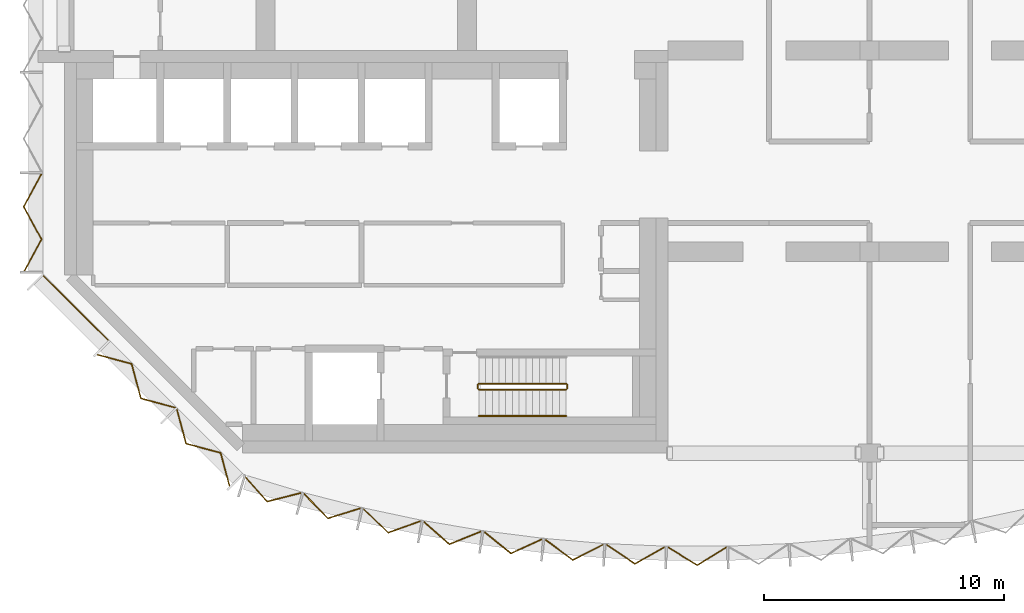
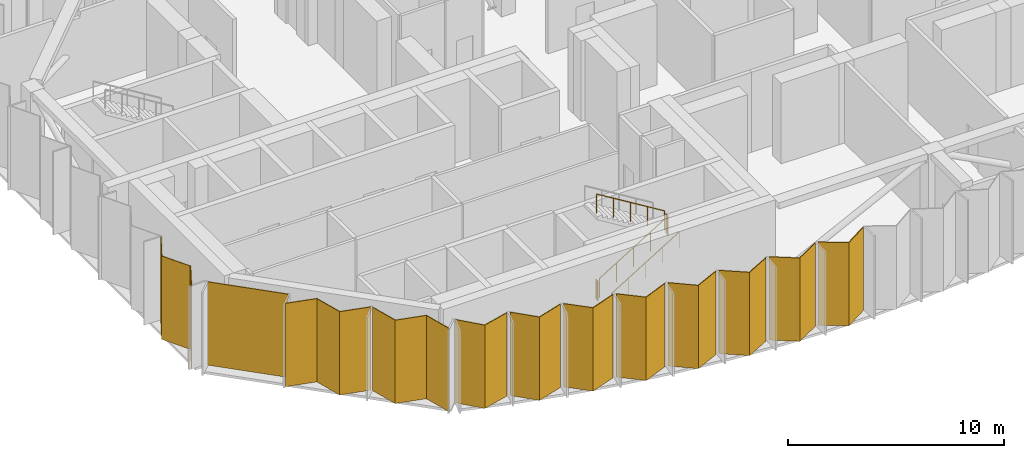
# One storey, part 8 of 13: 12 coverings, 5 railings, 3 elements without a shape of their own.
"""IFC4 building model written with IfcOpenShell, lengths in metres."""

from ifc_helpers import new_model, si_unit, direction, frame, origin, origin_2d, place, context, subcontext, project, spatial, polyline, circle, outline, extrude, material, layer, layer_set, type_object, element, aggregate, save


model = new_model("IFC4")

# Units and contexts
model_context = context("Model", 3, precision=1e-05, world=origin(), true_north=direction((0.0, 1.0)))
body_context = subcontext(model_context, "Body", "Model", "MODEL_VIEW")
ifc_project = project(units=[si_unit("LENGTHUNIT", "METRE"), si_unit("AREAUNIT", "SQUARE_METRE"), si_unit("VOLUMEUNIT", "CUBIC_METRE"), si_unit("PLANEANGLEUNIT", "RADIAN"), si_unit("MASSUNIT", "GRAM", prefix="KILO")], contexts=[model_context])

# Site, building, storey
site_placement = place(None, origin())
site = spatial("IfcSite", under=ifc_project, at=site_placement, CompositionType="ELEMENT")
building_placement = place(site_placement, origin())
building = spatial("IfcBuilding", under=site, at=building_placement, Name="Brevane Broadcast Tower", CompositionType="ELEMENT")
storey_placement = place(building_placement, frame((0.0, 0.0, 210.89990234375)))
storey = spatial("IfcBuildingStorey", under=building, at=storey_placement, Name="L53", CompositionType="ELEMENT", Elevation=210.89990234375)

# Curtain wall, coverings
ifc_material_1 = material(Name="Aluminium 6063-T6 bronze anodised", Category="aluminium")
curtain_wall_type = type_object("IfcCurtainWallType", Name="CW-3 curtain wall", PredefinedType="NOTDEFINED", material=ifc_material_1)
curtain_wall_1_placement = place(storey_placement, origin())
curtain_wall_1 = element("IfcCurtainWall", 1, at=curtain_wall_1_placement, inside=storey, type_object=curtain_wall_type, Name="CW-3 refuge louvre unit L53 south bow", PredefinedType="NOTDEFINED")
ifc_material_2 = material(Name="Aluminium bronze anodised cladding", Category="aluminium")
ifc_layer = layer(ifc_material_2, 0.050048828125)
ifc_layer_set = layer_set([ifc_layer], Name="CW refuge spandrel 50")
covering_type = type_object("IfcCoveringType", Name="CW refuge spandrel 50", PredefinedType="CLADDING", material=ifc_layer_set)
covering_1_placement = place(storey_placement, frame((0.0, 0.0, -0.159912109375)))
covering_1 = element("IfcCovering", 2, at=covering_1_placement, type_object=covering_type, Name="Refuge cladding panel", PredefinedType="CLADDING", context=body_context, shape_type="SweptSolid", body=[
    extrude(outline(polyline([(7.530517578125, -0.937255859375), (7.51708984375, -0.982177734375), (8.46337890625, -2.044921875), (9.85791015625, -1.68701171875), (9.8701171875, -1.642578125), (8.47705078125, -2.000244140625), (7.530517578125, -0.937255859375)])), origin(), (0.0, 0.0, 1.0), 4.7099609375),
])
covering_2_placement = place(storey_placement, frame((0.0, 0.0, -0.159912109375)))
covering_2 = element("IfcCovering", 3, at=covering_2_placement, type_object=covering_type, Name="Refuge cladding panel", PredefinedType="CLADDING", context=body_context, shape_type="SweptSolid", body=[
    extrude(outline(polyline([(10.021728515625, -1.685302734375), (10.00927734375, -1.72998046875), (10.984130859375, -2.749755859375), (12.341064453125, -2.328369140625), (12.351806640625, -2.283203125), (10.99609375, -2.7041015625), (10.021728515625, -1.685302734375)])), origin(), (0.0, 0.0, 1.0), 4.7099609375),
])
covering_3_placement = place(storey_placement, frame((0.0, 0.0, -0.159912109375)))
covering_3 = element("IfcCovering", 4, at=covering_3_placement, type_object=covering_type, Name="Refuge cladding panel", PredefinedType="CLADDING", context=body_context, shape_type="SweptSolid", body=[
    extrude(outline(polyline([(12.5048828125, -2.319580078125), (12.494384765625, -2.36474609375), (13.513427734375, -3.343505859375), (14.84912109375, -2.865478515625), (14.857666015625, -2.81982421875), (13.523193359375, -3.29736328125), (12.5048828125, -2.319580078125)])), origin(), (0.0, 0.0, 1.0), 4.7099609375),
])
covering_4_placement = place(storey_placement, frame((0.0, 0.0, -0.159912109375)))
covering_4 = element("IfcCovering", 5, at=covering_4_placement, type_object=covering_type, Name="Refuge cladding panel", PredefinedType="CLADDING", context=body_context, shape_type="SweptSolid", body=[
    extrude(outline(polyline([(15.012451171875, -2.849609375), (15.003662109375, -2.89501953125), (16.065185546875, -3.830810546875), (17.377197265625, -3.29736328125), (17.3837890625, -3.251220703125), (16.072998046875, -3.78466796875), (15.012451171875, -2.849609375)])), origin(), (0.0, 0.0, 1.0), 4.7099609375),
])
covering_5_placement = place(storey_placement, frame((0.0, 0.0, -0.159912109375)))
covering_5 = element("IfcCovering", 6, at=covering_5_placement, type_object=covering_type, Name="Refuge cladding panel", PredefinedType="CLADDING", context=body_context, shape_type="SweptSolid", body=[
    extrude(outline(polyline([(17.539794921875, -3.2744140625), (17.532958984375, -3.3203125), (18.635009765625, -4.21142578125), (19.9208984375, -3.623291015625), (19.92578125, -3.576904296875), (18.64111328125, -4.164794921875), (17.539794921875, -3.2744140625)])), origin(), (0.0, 0.0, 1.0), 4.7099609375),
])
covering_6_placement = place(storey_placement, frame((0.0, 0.0, -0.159912109375)))
covering_6 = element("IfcCovering", 7, at=covering_6_placement, type_object=covering_type, Name="Refuge cladding panel", PredefinedType="CLADDING", context=body_context, shape_type="SweptSolid", body=[
    extrude(outline(polyline([(20.08251953125, -3.59326171875), (20.07763671875, -3.639404296875), (21.21875, -4.484130859375), (22.476318359375, -3.842529296875), (22.479248046875, -3.796142578125), (21.22265625, -4.437255859375), (20.08251953125, -3.59326171875)])), origin(), (0.0, 0.0, 1.0), 4.7099609375),
])
covering_7_placement = place(storey_placement, frame((0.0, 0.0, -0.159912109375)))
covering_7 = element("IfcCovering", 8, at=covering_7_placement, type_object=covering_type, Name="Refuge cladding panel", PredefinedType="CLADDING", context=body_context, shape_type="SweptSolid", body=[
    extrude(outline(polyline([(22.63671875, -3.805908203125), (22.633544921875, -3.85205078125), (23.8115234375, -4.6484375), (25.038818359375, -3.955078125), (25.039794921875, -3.90869140625), (23.8134765625, -4.6015625), (22.63671875, -3.805908203125)])), origin(), (0.0, 0.0, 1.0), 4.7099609375),
])
covering_8_placement = place(storey_placement, frame((0.0, 0.0, -0.159912109375)))
covering_8 = element("IfcCovering", 9, at=covering_8_placement, type_object=covering_type, Name="Refuge cladding panel", PredefinedType="CLADDING", context=body_context, shape_type="SweptSolid", body=[
    extrude(outline(polyline([(25.197265625, -3.91162109375), (25.1962890625, -3.957763671875), (26.413818359375, -4.703369140625), (27.613037109375, -3.95849609375), (27.612060546875, -3.912109375), (26.41357421875, -4.656494140625), (25.197265625, -3.91162109375)])), origin(), (0.0, 0.0, 1.0), 4.7099609375),
])
aggregate(curtain_wall_1, [covering_1, covering_2, covering_3, covering_4, covering_5, covering_6, covering_7, covering_8])

# Curtain wall, covering
curtain_wall_2_placement = place(storey_placement, origin())
curtain_wall_2 = element("IfcCurtainWall", 10, at=curtain_wall_2_placement, inside=storey, type_object=curtain_wall_type, Name="CW-3 refuge louvre unit L53 west face", PredefinedType="NOTDEFINED")
covering_9_placement = place(storey_placement, frame((0.0, 0.0, -0.159912109375)))
covering_9 = element("IfcCovering", 11, at=covering_9_placement, type_object=covering_type, Name="Refuge cladding panel", PredefinedType="CLADDING", context=body_context, shape_type="SweptSolid", body=[
    extrude(outline(polyline([(-0.92724609375, 11.659912109375), (-0.97265625, 11.659912109375), (-1.717041015625, 10.28662109375), (-0.97265625, 8.913330078125), (-1.717041015625, 7.5400390625), (-1.671630859375, 7.5400390625), (-0.92724609375, 8.913330078125), (-1.671630859375, 10.28662109375), (-0.92724609375, 11.659912109375)])), origin(), (0.0, 0.0, 1.0), 4.7099609375),
])
aggregate(curtain_wall_2, [covering_9])

# Curtain wall, coverings
curtain_wall_3_placement = place(storey_placement, origin())
curtain_wall_3 = element("IfcCurtainWall", 12, at=curtain_wall_3_placement, inside=storey, type_object=curtain_wall_type, Name="CW-3 refuge louvre unit L53 south-west chamfer", PredefinedType="NOTDEFINED")
covering_10_placement = place(storey_placement, frame((0.0, 0.0, -0.159912109375)))
covering_10 = element("IfcCovering", 13, at=covering_10_placement, type_object=covering_type, Name="Refuge cladding panel", PredefinedType="CLADDING", context=body_context, shape_type="SweptSolid", body=[
    extrude(outline(polyline([(-0.892822265625, 7.450439453125), (1.8505859375, 4.70703125), (1.822265625, 4.6787109375), (-0.921142578125, 7.422119140625), (-0.892822265625, 7.450439453125)])), origin(), (0.0, 0.0, 1.0), 4.7099609375),
])
covering_11_placement = place(storey_placement, frame((0.0, 0.0, -0.159912109375)))
covering_11 = element("IfcCovering", 14, at=covering_11_placement, type_object=covering_type, Name="Refuge cladding panel", PredefinedType="CLADDING", context=body_context, shape_type="SweptSolid", body=[
    extrude(outline(polyline([(1.3828125, 4.126220703125), (1.35009765625, 4.09375), (2.791015625, 3.70556640625), (3.17919921875, 2.2646484375), (4.6201171875, 1.876708984375), (4.652587890625, 1.9091796875), (3.2119140625, 2.29736328125), (2.82373046875, 3.73828125), (1.3828125, 4.126220703125)])), origin(), (0.0, 0.0, 1.0), 4.7099609375),
])
covering_12_placement = place(storey_placement, frame((0.0, 0.0, -0.159912109375)))
covering_12 = element("IfcCovering", 15, at=covering_12_placement, type_object=covering_type, Name="Refuge cladding panel", PredefinedType="CLADDING", context=body_context, shape_type="SweptSolid", body=[
    extrude(outline(polyline([(4.709228515625, 1.852783203125), (4.676513671875, 1.820068359375), (5.064697265625, 0.379150390625), (6.505615234375, -0.0087890625), (6.893798828125, -1.44970703125), (6.92626953125, -1.4169921875), (6.5380859375, 0.023681640625), (5.097412109375, 0.411865234375), (4.709228515625, 1.852783203125)])), origin(), (0.0, 0.0, 1.0), 4.7099609375),
])
aggregate(curtain_wall_3, [covering_10, covering_11, covering_12])

# Railings
ifc_material_3 = material(Name="Steel S355", Category="steel")
railing_type_1 = type_object("IfcRailingType", Name="Exit stair guard", PredefinedType="GUARDRAIL", material=ifc_material_3)
railing_1_placement = place(storey_placement, frame((17.300048828125, 2.64990234375, 0.171630859375)))
element("IfcRailing", 16, at=railing_1_placement, inside=storey, type_object=railing_type_1, Name="L53 ST-2 stair guard 1", PredefinedType="GUARDRAIL", context=body_context, shape_type="SweptSolid", body=[
    extrude(circle(Radius=0.02392578125, at=origin_2d()), frame((0.0, 0.0, 1.076171875), z_axis=(0.852850264322, 0.0, 0.5221555579), x_axis=(0.0, 1.0, 0.0)), (0.0, 0.0, 1.0), 4.267822265625),
    extrude(circle(Radius=0.02099609375, at=origin_2d()), origin(), (0.0, 0.0, 1.0), 1.052001953125),
    extrude(circle(Radius=0.02099609375, at=origin_2d()), frame((0.909912109375, 0.0, 0.55712890625)), (0.0, 0.0, 1.0), 1.052001953125),
    extrude(circle(Radius=0.02099609375, at=origin_2d()), frame((1.81982421875, 0.0, 1.1142578125)), (0.0, 0.0, 1.0), 1.052001953125),
    extrude(circle(Radius=0.02099609375, at=origin_2d()), frame((2.72998046875, 0.0, 1.67138671875)), (0.0, 0.0, 1.0), 1.052001953125),
    extrude(circle(Radius=0.02099609375, at=origin_2d()), frame((3.639892578125, 0.0, 2.228515625)), (0.0, 0.0, 1.0), 1.052001953125),
])
railing_2_placement = place(storey_placement, frame((20.989990234375, 2.699951171875, 2.400146484375)))
element("IfcRailing", 17, at=railing_2_placement, inside=storey, type_object=railing_type_1, Name="L53 ST-2 stair guard 2", PredefinedType="GUARDRAIL", context=body_context, shape_type="SweptSolid", body=[
    extrude(circle(Radius=0.02392578125, at=origin_2d()), frame((0.0, 0.0, 1.076171875), z_axis=(0.0, 1.0, 0.0), x_axis=(-1.0, 0.0, 0.0)), (0.0, 0.0, 1.0), 0.150146484375),
    extrude(circle(Radius=0.02099609375, at=origin_2d()), origin(), (0.0, 0.0, 1.0), 1.052001953125),
    extrude(circle(Radius=0.02099609375, at=origin_2d()), frame((0.0, 0.150146484375, 0.0)), (0.0, 0.0, 1.0), 1.052001953125),
])
railing_3_placement = place(storey_placement, frame((20.93994140625, 2.89990234375, 2.571533203125)))
element("IfcRailing", 18, at=railing_3_placement, inside=storey, type_object=railing_type_1, Name="L53 ST-2 stair guard 3", PredefinedType="GUARDRAIL", context=body_context, shape_type="SweptSolid", body=[
    extrude(circle(Radius=0.02392578125, at=origin_2d()), frame((0.0, 0.0, 1.076171875), z_axis=(-0.852850264322, 0.0, 0.5221555579), x_axis=(0.0, -1.0, 0.0)), (0.0, 0.0, 1.0), 4.267822265625),
    extrude(circle(Radius=0.02099609375, at=origin_2d()), origin(), (0.0, 0.0, 1.0), 1.052001953125),
    extrude(circle(Radius=0.02099609375, at=origin_2d()), frame((-0.909912109375, 0.0, 0.55712890625)), (0.0, 0.0, 1.0), 1.052001953125),
    extrude(circle(Radius=0.02099609375, at=origin_2d()), frame((-1.81982421875, 0.0, 1.1142578125)), (0.0, 0.0, 1.0), 1.052001953125),
    extrude(circle(Radius=0.02099609375, at=origin_2d()), frame((-2.72998046875, 0.0, 1.67138671875)), (0.0, 0.0, 1.0), 1.052001953125),
    extrude(circle(Radius=0.02099609375, at=origin_2d()), frame((-3.639892578125, 0.0, 2.228515625)), (0.0, 0.0, 1.0), 1.052001953125),
])
railing_4_placement = place(storey_placement, frame((17.25, 2.699951171875, 0.0)))
element("IfcRailing", 19, at=railing_4_placement, inside=storey, type_object=railing_type_1, Name="L53 ST-2 stair guard 4", PredefinedType="GUARDRAIL", context=body_context, shape_type="SweptSolid", body=[
    extrude(circle(Radius=0.02392578125, at=origin_2d()), frame((0.0, 0.0, 1.076171875), z_axis=(0.0, 1.0, 0.0), x_axis=(-1.0, 0.0, 0.0)), (0.0, 0.0, 1.0), 0.150146484375),
    extrude(circle(Radius=0.02099609375, at=origin_2d()), origin(), (0.0, 0.0, 1.0), 1.052001953125),
    extrude(circle(Radius=0.02099609375, at=origin_2d()), frame((0.0, 0.150146484375, 0.0)), (0.0, 0.0, 1.0), 1.052001953125),
])
railing_type_2 = type_object("IfcRailingType", Name="Exit stair handrail", PredefinedType="HANDRAIL", material=ifc_material_3)
railing_5_placement = place(storey_placement, frame((17.300048828125, 1.550048828125, 0.171630859375)))
element("IfcRailing", 20, at=railing_5_placement, inside=storey, type_object=railing_type_2, Name="L53 ST-2 stair handrail 1", PredefinedType="HANDRAIL", context=body_context, shape_type="SweptSolid", body=[
    extrude(circle(Radius=0.02392578125, at=origin_2d()), frame((0.0, 0.0, 0.8759765625), z_axis=(0.852850264322, 0.0, 0.5221555579), x_axis=(0.0, 1.0, 0.0)), (0.0, 0.0, 1.0), 4.267822265625),
    extrude(circle(Radius=0.02099609375, at=origin_2d()), origin(), (0.0, 0.0, 1.0), 0.851806640625),
    extrude(circle(Radius=0.02099609375, at=origin_2d()), frame((0.909912109375, 0.0, 0.55712890625)), (0.0, 0.0, 1.0), 0.851806640625),
    extrude(circle(Radius=0.02099609375, at=origin_2d()), frame((1.81982421875, 0.0, 1.1142578125)), (0.0, 0.0, 1.0), 0.851806640625),
    extrude(circle(Radius=0.02099609375, at=origin_2d()), frame((2.72998046875, 0.0, 1.67138671875)), (0.0, 0.0, 1.0), 0.851806640625),
    extrude(circle(Radius=0.02099609375, at=origin_2d()), frame((3.639892578125, 0.0, 2.228515625)), (0.0, 0.0, 1.0), 0.851806640625),
])

save(model, "model.ifc")
